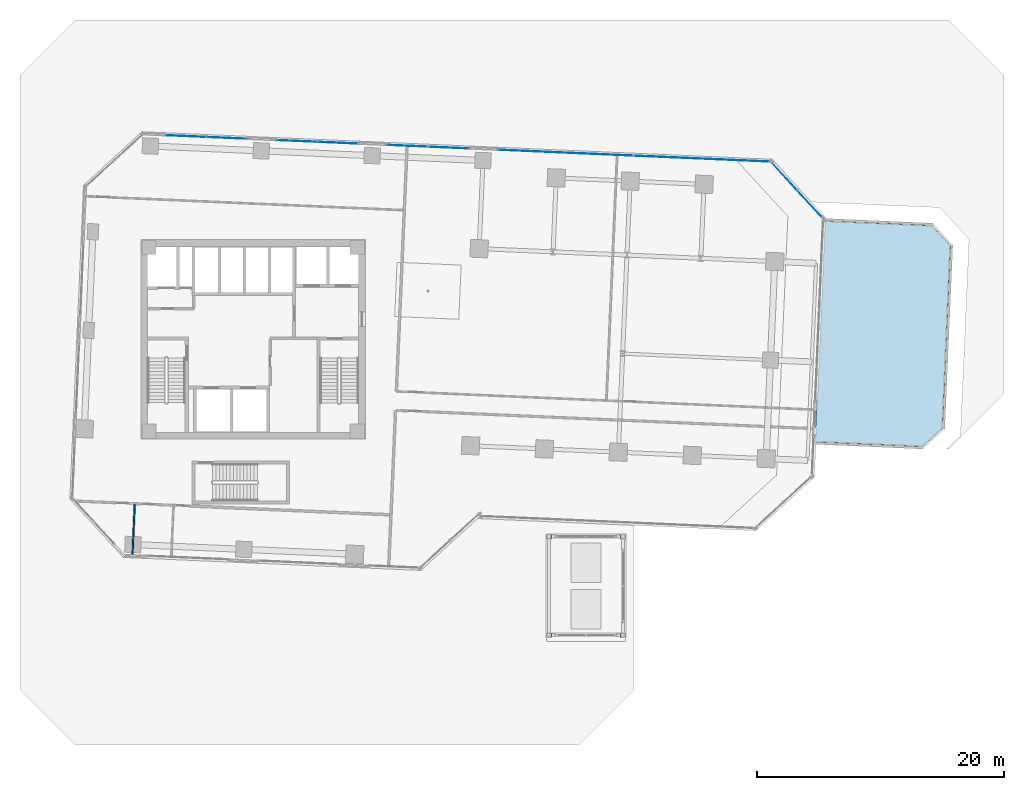
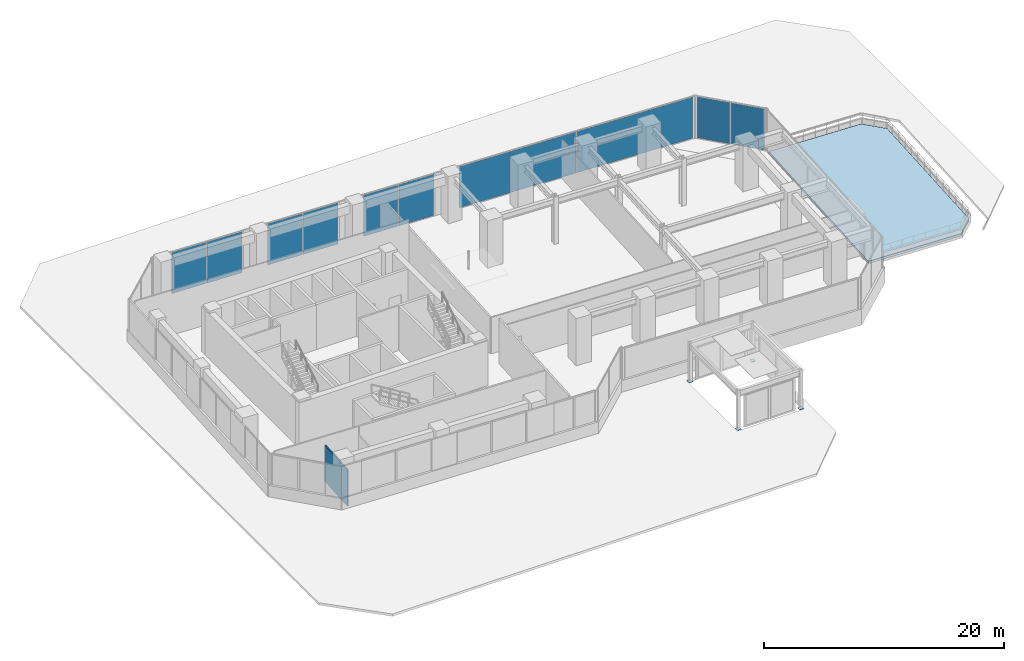
# One storey, part 26 of 33: 14 plates, 1 slab, 1 wall, 5 elements without a shape of their own.
"""IFC4 building model written with IfcOpenShell, lengths in metres."""

from ifc_helpers import new_model, si_unit, direction, frame, frame_2d, origin, origin_2d, place, context, subcontext, project, spatial, polyline, rectangle, outline, extrude, source, transform, mapped, material, layer, layer_set, type_object, element, aggregate, save


model = new_model("IFC4")

# Units and contexts
model_context = context("Model", 3, precision=1e-05, world=origin(), true_north=direction((0.0, 1.0)))
body_context = subcontext(model_context, "Body", "Model", "MODEL_VIEW")
ifc_project = project(units=[si_unit("LENGTHUNIT", "METRE"), si_unit("AREAUNIT", "SQUARE_METRE"), si_unit("VOLUMEUNIT", "CUBIC_METRE"), si_unit("PLANEANGLEUNIT", "RADIAN"), si_unit("MASSUNIT", "GRAM", prefix="KILO")], contexts=[model_context])

# Site, building, storey
site_placement = place(None, origin())
site = spatial("IfcSite", under=ifc_project, at=site_placement, CompositionType="ELEMENT")
building_placement = place(site_placement, origin())
building = spatial("IfcBuilding", under=site, at=building_placement, Name="Torre Montelarca", CompositionType="ELEMENT")
storey_placement = place(building_placement, frame((0.0, 0.0, 32.800048828125)))
storey = spatial("IfcBuildingStorey", under=building, at=storey_placement, Name="L07", CompositionType="ELEMENT", Elevation=32.800048828125)

# Slab
ifc_material_1 = material(Name="Architectural concrete C40/50", Category="concrete")
ifc_layer_1 = layer(ifc_material_1, 0.239990234375, Name="Architectural concrete C40/50", Category="concrete")
ifc_layer_set_1 = layer_set([ifc_layer_1], Name="Architectural concrete C40/50")
slab_type = type_object("IfcSlabType", Name="SL-TER-250", PredefinedType="FLOOR", material=ifc_layer_set_1)
slab_placement = place(storey_placement, frame((0.0, 0.0, -0.239990234375)))
element("IfcSlab", 1, at=slab_placement, inside=storey, type_object=slab_type, Name="L07 Outdoor Setback Sky Terrace 01", PredefinedType="FLOOR", context=body_context, shape_type="SweptSolid", body=[
    extrude(outline(polyline([(63.576171875, 23.65673828125), (72.267822265625, 23.277099609375), (73.93603515625, 24.805908203125), (74.581787109375, 39.591796875), (73.052978515625, 41.260009765625), (64.361328125, 41.6396484375), (63.576171875, 23.65673828125)])), origin(), (0.0, 0.0, 1.0), 0.239990234375),
])

# Plates
ifc_material_2 = material(Name="Steel ASTM A572 Grade 50", Category="steel")
ifc_layer_2 = layer(ifc_material_2, 0.02392578125, Name="Steel ASTM A572 Grade 50", Category="steel")
ifc_layer_set_2 = layer_set([ifc_layer_2], Name="Steel ASTM A572 Grade 50")
plate_type_1 = type_object("IfcPlateType", Name="PL-GUSSET-24-EXT", PredefinedType="SHEET", material=ifc_layer_set_2)
shared_shape_1 = source(origin(), body_context, "Body", "SweptSolid", [
    extrude(rectangle(XDim=0.3798828125, YDim=0.3798828125, at=origin_2d()), origin(), (0.0, 0.0, 1.0), 0.02392578125),
])
for number, where, z_axis, x_axis, name in (
    (2, (42.0, 8.0, -0.010009765625), (0.0, 0.0, 1.0), (1.0, 0.0, 0.0), "L07 Exchange Atrium Lantern Post Base Plate 1"),
    (3, (48.0, 8.0, -0.010009765625), (0.0, 0.0, 1.0), (1.0, 0.0, 0.0), "L07 Exchange Atrium Lantern Post Base Plate 2"),
    (4, (48.0, 16.0, -0.010009765625), (0.0, 0.0, 1.0), (1.0, 0.0, 0.0), "L07 Exchange Atrium Lantern Post Base Plate 3"),
    (5, (42.0, 16.0, -0.010009765625), (0.0, 0.0, 1.0), (1.0, 0.0, 0.0), "L07 Exchange Atrium Lantern Post Base Plate 4"),
):
    element("IfcPlate", number, at=place(storey_placement, frame(where, z_axis=z_axis, x_axis=x_axis)), inside=storey, type_object=plate_type_1, Name=name, PredefinedType="SHEET", context=body_context, shape_type="MappedRepresentation", body=[
        mapped(shared_shape_1, transform((0.0, 0.0, 0.0), scale=1.0)),
    ])

# Curtain wall, plates
ifc_material_3 = material(Name="Insulated low-E laminated glass", Category="glass")
curtain_wall_type = type_object("IfcCurtainWallType", Name="CW-SYS-Z1", PredefinedType="USERDEFINED", material=ifc_material_3)
curtain_wall_1_placement = place(storey_placement, origin())
curtain_wall_1 = element("IfcCurtainWall", 6, at=curtain_wall_1_placement, inside=storey, type_object=curtain_wall_type, Name="L07 Curtain Wall Run CW-T3-L07-E08-B2", ObjectType="UNITISED GLAZING", PredefinedType="USERDEFINED")
ifc_layer_3 = layer(ifc_material_3, 0.028076171875, Name="Insulated low-E laminated glass", Category="glass")
ifc_layer_set_3 = layer_set([ifc_layer_3], Name="Insulated low-E laminated glass")
plate_type_2 = type_object("IfcPlateType", Name="CWP-GLZ-28", PredefinedType="CURTAIN_PANEL", material=ifc_layer_set_3)
shared_shape_2 = source(origin(), body_context, "Body", "SweptSolid", [
    extrude(rectangle(XDim=3.2724609375, YDim=0.028076171875, at=origin_2d()), origin(), (0.0, 0.0, 1.0), 4.18994140625),
])
plate_1_placement = place(storey_placement, frame((33.858642578125, 47.5458984375, 0.06494140625), z_axis=(0.0, 0.0, 1.0), x_axis=(-0.999048163126, 0.043620726206, 0.0)))
plate_1 = element("IfcPlate", 7, at=plate_1_placement, type_object=plate_type_2, Name="CW panel 1.1", PredefinedType="CURTAIN_PANEL", context=body_context, shape_type="MappedRepresentation", body=[
    mapped(shared_shape_2, transform((0.0, 0.0, 0.0), scale=1.0)),
])
plate_2_placement = place(storey_placement, frame((30.5244140625, 47.69140625, 0.06494140625), z_axis=(0.0, 0.0, 1.0), x_axis=(-0.999048163126, 0.043620726206, 0.0)))
plate_2 = element("IfcPlate", 8, at=plate_2_placement, type_object=plate_type_2, Name="CW panel 2.1", PredefinedType="CURTAIN_PANEL", context=body_context, shape_type="MappedRepresentation", body=[
    mapped(shared_shape_2, transform((0.0, 0.0, 0.0), scale=1.0)),
])
aggregate(curtain_wall_1, [plate_1, plate_2])

curtain_wall_2_placement = place(storey_placement, origin())
curtain_wall_2 = element("IfcCurtainWall", 9, at=curtain_wall_2_placement, inside=storey, type_object=curtain_wall_type, Name="L07 Curtain Wall Run CW-T3-L07-E08-B3", ObjectType="UNITISED GLAZING", PredefinedType="USERDEFINED")
plate_3_placement = place(storey_placement, frame((24.8671875, 47.938232421875, 0.06494140625), z_axis=(0.0, 0.0, 1.0), x_axis=(-0.999047516432, 0.043635534947, 0.0)))
plate_3 = element("IfcPlate", 10, at=plate_3_placement, type_object=plate_type_2, Name="CW panel 1.1", PredefinedType="CURTAIN_PANEL", context=body_context, shape_type="MappedRepresentation", body=[
    mapped(shared_shape_2, transform((0.0, 0.0, 0.0), scale=1.0)),
])
plate_4_placement = place(storey_placement, frame((21.532958984375, 48.083984375, 0.06494140625), z_axis=(0.0, 0.0, 1.0), x_axis=(-0.999047516432, 0.043635534947, 0.0)))
plate_4 = element("IfcPlate", 11, at=plate_4_placement, type_object=plate_type_2, Name="CW panel 2.1", PredefinedType="CURTAIN_PANEL", context=body_context, shape_type="MappedRepresentation", body=[
    mapped(shared_shape_2, transform((0.0, 0.0, 0.0), scale=1.0)),
])
aggregate(curtain_wall_2, [plate_3, plate_4])

curtain_wall_3_placement = place(storey_placement, origin())
curtain_wall_3 = element("IfcCurtainWall", 12, at=curtain_wall_3_placement, inside=storey, type_object=curtain_wall_type, Name="L07 Curtain Wall Run CW-T3-L07-E08-B4", ObjectType="UNITISED GLAZING", PredefinedType="USERDEFINED")
plate_5_placement = place(storey_placement, frame((15.875732421875, 48.330810546875, 0.06494140625), z_axis=(0.0, 0.0, 1.0), x_axis=(-0.999048191356, 0.043620079636, 0.0)))
plate_5 = element("IfcPlate", 13, at=plate_5_placement, type_object=plate_type_2, Name="CW panel 1.1", PredefinedType="CURTAIN_PANEL", context=body_context, shape_type="MappedRepresentation", body=[
    mapped(shared_shape_2, transform((0.0, 0.0, 0.0), scale=1.0)),
])
plate_6_placement = place(storey_placement, frame((12.54150390625, 48.4765625, 0.06494140625), z_axis=(0.0, 0.0, 1.0), x_axis=(-0.999048191356, 0.043620079636, 0.0)))
plate_6 = element("IfcPlate", 14, at=plate_6_placement, type_object=plate_type_2, Name="CW panel 2.1", PredefinedType="CURTAIN_PANEL", context=body_context, shape_type="MappedRepresentation", body=[
    mapped(shared_shape_2, transform((0.0, 0.0, 0.0), scale=1.0)),
])
aggregate(curtain_wall_3, [plate_5, plate_6])

curtain_wall_4_placement = place(storey_placement, origin())
curtain_wall_4 = element("IfcCurtainWall", 15, at=curtain_wall_4_placement, inside=storey, type_object=curtain_wall_type, Name="L07 Curtain Wall Run CW-T3-L07-E07-B1", ObjectType="UNITISED GLAZING", PredefinedType="USERDEFINED")
shared_shape_3 = source(origin(), body_context, "Body", "SweptSolid", [
    extrude(rectangle(XDim=2.918701171875, YDim=0.028076171875, at=origin_2d()), origin(), (0.0, 0.0, 1.0), 4.18994140625),
])
plate_7_placement = place(storey_placement, frame((63.13232421875, 42.997802734375, 0.06494140625), z_axis=(0.0, 0.0, 1.0), x_axis=(-0.675574480513, 0.737291747736, 0.0)))
plate_7 = element("IfcPlate", 16, at=plate_7_placement, type_object=plate_type_2, Name="CW panel 1.1", PredefinedType="CURTAIN_PANEL", context=body_context, shape_type="MappedRepresentation", body=[
    mapped(shared_shape_3, transform((0.0, 0.0, 0.0), scale=1.0)),
])
plate_8_placement = place(storey_placement, frame((61.11669921875, 45.197509765625, 0.06494140625), z_axis=(0.0, 0.0, 1.0), x_axis=(-0.675574480513, 0.737291747736, 0.0)))
plate_8 = element("IfcPlate", 17, at=plate_8_placement, type_object=plate_type_2, Name="CW panel 2.1", PredefinedType="CURTAIN_PANEL", context=body_context, shape_type="MappedRepresentation", body=[
    mapped(shared_shape_3, transform((0.0, 0.0, 0.0), scale=1.0)),
])
aggregate(curtain_wall_4, [plate_7, plate_8])

curtain_wall_5_placement = place(storey_placement, origin())
curtain_wall_5 = element("IfcCurtainWall", 18, at=curtain_wall_5_placement, inside=storey, type_object=curtain_wall_type, Name="L07 Curtain Wall Run CW-T3-L07-E08-B1", ObjectType="UNITISED GLAZING", PredefinedType="USERDEFINED")
shared_shape_4 = source(origin(), body_context, "Body", "SweptSolid", [
    extrude(rectangle(XDim=10.95458984375, YDim=0.028076171875, at=origin_2d()), origin(), (0.0, 0.0, 1.0), 4.18994140625),
])
plate_9_placement = place(storey_placement, frame((54.3623046875, 46.650634765625, 0.06494140625), z_axis=(0.0, 0.0, 1.0), x_axis=(-0.999048160403, 0.043620788577, 0.0)))
plate_9 = element("IfcPlate", 19, at=plate_9_placement, type_object=plate_type_2, Name="CW panel 1.1", PredefinedType="CURTAIN_PANEL", context=body_context, shape_type="MappedRepresentation", body=[
    mapped(shared_shape_4, transform((0.0, 0.0, 0.0), scale=1.0)),
])
plate_10_placement = place(storey_placement, frame((43.35302734375, 47.13134765625, 0.06494140625), z_axis=(0.0, 0.0, 1.0), x_axis=(-0.999048160403, 0.043620788577, 0.0)))
plate_10 = element("IfcPlate", 20, at=plate_10_placement, type_object=plate_type_2, Name="CW panel 2.1", PredefinedType="CURTAIN_PANEL", context=body_context, shape_type="MappedRepresentation", body=[
    mapped(shared_shape_4, transform((0.0, 0.0, 0.0), scale=1.0)),
])
aggregate(curtain_wall_5, [plate_9, plate_10])

# Wall
ifc_material_4 = material(Name="Gypsum plasterboard on steel stud", Category="steel")
ifc_layer_4 = layer(ifc_material_4, 0.114990234375, Name="Gypsum plasterboard on steel stud", Category="steel")
ifc_layer_set_4 = layer_set([ifc_layer_4], Name="Gypsum plasterboard on steel stud")
wall_type = type_object("IfcWallType", Name="PW-PART-115", PredefinedType="PARTITIONING", material=ifc_layer_set_4)
wall_placement = place(storey_placement, frame((8.225830078125, 14.54248046875, 0.0), z_axis=(0.0, 0.0, 1.0), x_axis=(0.043649126443, 0.999046922702, 0.0)))
element("IfcWall", 21, at=wall_placement, inside=storey, type_object=wall_type, Name="L07 Interior Partition W-L07-WCD", PredefinedType="PARTITIONING", context=body_context, shape_type="SweptSolid", body=[
    extrude(rectangle(XDim=4.099853515625, YDim=0.114990234375, at=frame_2d((2.0498046875, 0.0))), origin(), (0.0, 0.0, 1.0), 3.695068359375),
])

save(model, "model.ifc")
